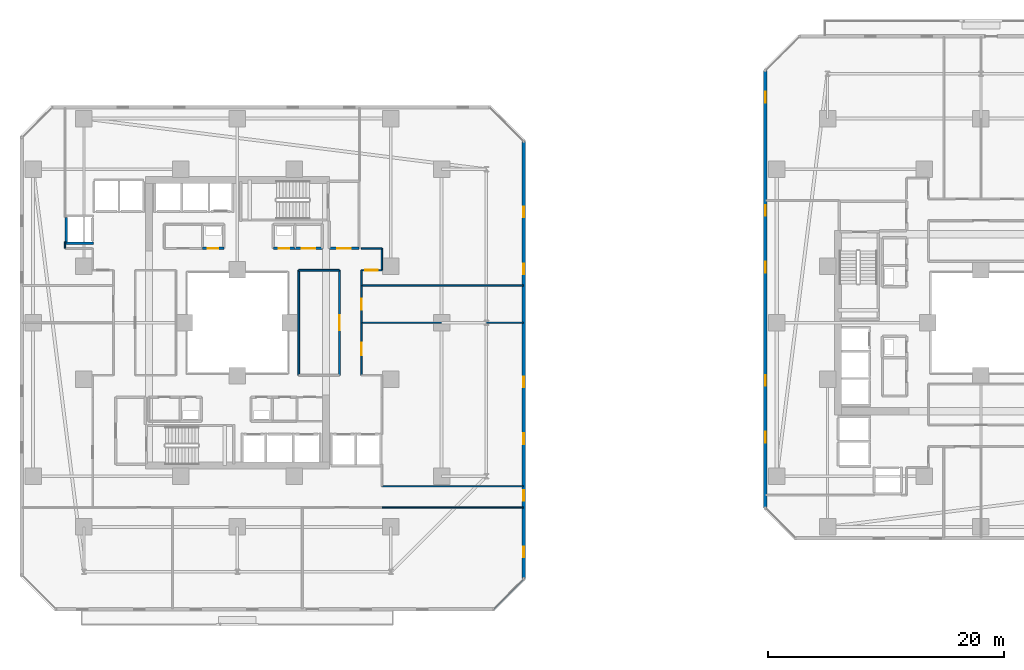
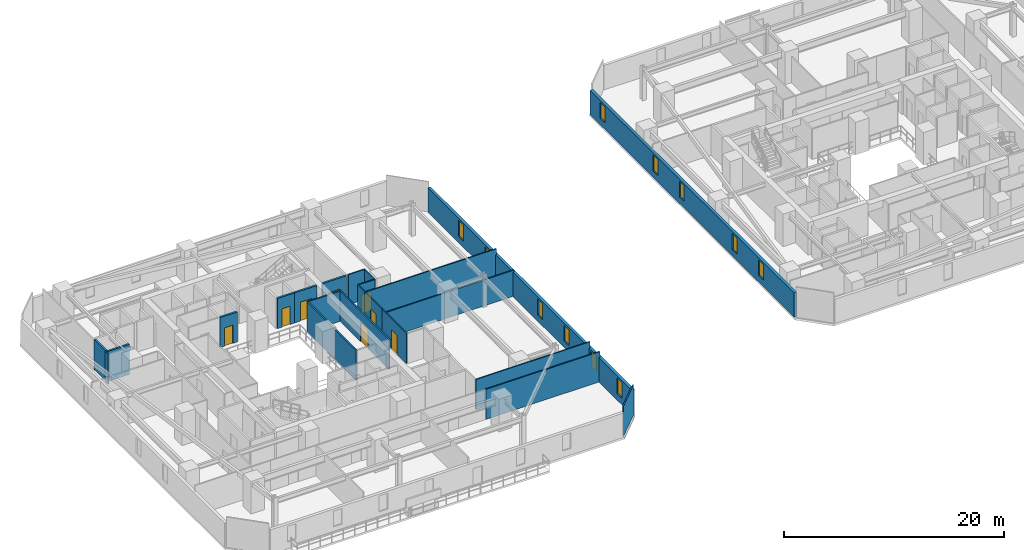
# One storey, part 23 of 35: 23 walls, 11 windows, 8 doors, 19 openings.
"""IFC4 building model written with IfcOpenShell, lengths in metres."""

from ifc_helpers import new_model, si_unit, direction, frame, frame_2d, origin, place, context, subcontext, project, spatial, rectangle, extrude, material, layer, layer_set, type_object, element, fill, save


model = new_model("IFC4")

# Units and contexts
model_context = context("Model", 3, precision=1e-05, world=origin(), true_north=direction((0.0, 1.0)))
body_context = subcontext(model_context, "Body", "Model", "MODEL_VIEW")
ifc_project = project(units=[si_unit("LENGTHUNIT", "METRE"), si_unit("AREAUNIT", "SQUARE_METRE"), si_unit("VOLUMEUNIT", "CUBIC_METRE"), si_unit("PLANEANGLEUNIT", "RADIAN"), si_unit("MASSUNIT", "GRAM", prefix="KILO")], contexts=[model_context])

# Site, building, storey
site_placement = place(None, origin())
site = spatial("IfcSite", under=ifc_project, at=site_placement, CompositionType="ELEMENT")
building_placement = place(site_placement, origin())
building = spatial("IfcBuilding", under=site, at=building_placement, Name="Thornwick Lancets Civic Towers", CompositionType="ELEMENT")
storey_placement = place(building_placement, frame((0.0, 0.0, 64.5)))
storey = spatial("IfcBuildingStorey", under=building, at=storey_placement, Name="L16", CompositionType="ELEMENT", Elevation=64.5)

# Walls
ifc_material_1 = material(Name="Concrete blockwork C40/50", Category="masonry")
ifc_layer_1 = layer(ifc_material_1, 0.199951171875, Name="Concrete blockwork C40/50")
ifc_layer_set_1 = layer_set([ifc_layer_1], Name="Concrete blockwork C40/50")
wall_type_1 = type_object("IfcWallType", Name="WALL_COMP_200", PredefinedType="STANDARD", material=ifc_layer_set_1)
wall_1_placement = place(storey_placement, frame((11.001953125, 33.75, 0.0), z_axis=(0.0, 0.0, 1.0), x_axis=(1.0, 0.0, 0.0)))
element("IfcWall", 1, at=wall_1_placement, inside=storey, type_object=wall_type_1, Name="L16 Hoistway Shaft Wall PL-AM3 S", PredefinedType="STANDARD", context=body_context, shape_type="SweptSolid", body=[
    extrude(rectangle(XDim=2.296142578125, YDim=0.199951171875, at=frame_2d((1.14794921875, 0.0))), origin(), (0.0, 0.0, 1.0), 3.340087890625),
])
wall_2_placement = place(storey_placement, frame((11.0, 33.862060546875, 0.0), z_axis=(0.0, 0.0, 1.0), x_axis=(0.0, 1.0, 0.0)))
element("IfcWall", 2, at=wall_2_placement, inside=storey, type_object=wall_type_1, Name="L16 Hoistway Shaft Wall PL-AM3 W", PredefinedType="STANDARD", context=body_context, shape_type="SweptSolid", body=[
    extrude(rectangle(XDim=2.075927734375, YDim=0.199951171875, at=frame_2d((1.0380859375, 0.0))), origin(), (0.0, 0.0, 1.0), 3.340087890625),
])

# Wall, opening, door
wall_3_placement = place(storey_placement, frame((33.300048828125, 33.300048828125, 0.0), z_axis=(0.0, 0.0, 1.0), x_axis=(1.0, 0.0, 0.0)))
wall_3 = element("IfcWall", 3, at=wall_3_placement, inside=storey, type_object=wall_type_1, Name="L16 Partition L16-A-FFLOB2 E1", PredefinedType="STANDARD", context=body_context, shape_type="SweptSolid", body=[
    extrude(rectangle(XDim=2.5, YDim=0.199951171875, at=frame_2d((1.25, 0.0))), origin(), (0.0, 0.0, 1.0), 3.340087890625),
])
opening_1_placement = place(wall_3_placement, frame((0.675048828125, 0.0, 0.0)))
opening_1 = element("IfcOpeningElement", 4, at=opening_1_placement, cuts=wall_3, Name="Opening D-L16-0754", PredefinedType="OPENING", context=body_context, shape_type="SweptSolid", body=[
    extrude(rectangle(XDim=1.14990234375, YDim=2.10009765625, at=frame_2d((0.574951171875, 1.050048828125))), frame((0.0, 0.10986328125, 0.0), z_axis=(0.0, -1.0, 0.0), x_axis=(1.0, 0.0, 0.0)), (0.0, 0.0, 1.0), 0.219970703125),
])
ifc_material_2 = material(Name="Glazed fire-resisting steel", Category="steel")
door_type_1 = type_object("IfcDoorType", Name="DOOR_LOBBY_FD60", OperationType="NOTDEFINED", PredefinedType="DOOR", material=ifc_material_2)
door_1_placement = place(opening_1_placement, origin())
door_1 = element("IfcDoor", 5, at=door_1_placement, inside=storey, type_object=door_type_1, Name="L16 North Firefighting Lobby 2 Door", OperationType="SINGLE_SWING_LEFT", OverallHeight=2.10009765625, OverallWidth=1.14990234375, PredefinedType="DOOR", context=body_context, shape_type="SweptSolid", body=[
    extrude(rectangle(XDim=1.14990234375, YDim=2.10009765625, at=frame_2d((0.574951171875, 1.050048828125))), frame((0.0, 0.02490234375, 0.0), z_axis=(0.0, -1.0, 0.0), x_axis=(1.0, 0.0, 0.0)), (0.0, 0.0, 1.0), 0.050048828125),
])
fill(opening_1, door_1)

wall_4_placement = place(storey_placement, frame((22.550048828125, 33.300048828125, 0.0), z_axis=(0.0, 0.0, 1.0), x_axis=(1.0, 0.0, 0.0)))
wall_4 = element("IfcWall", 6, at=wall_4_placement, inside=storey, type_object=wall_type_1, Name="L16 Partition L16-A-DUCT2 E1", PredefinedType="STANDARD", context=body_context, shape_type="SweptSolid", body=[
    extrude(rectangle(XDim=1.800048828125, YDim=0.199951171875, at=frame_2d((0.89990234375, 0.0))), origin(), (0.0, 0.0, 1.0), 3.340087890625),
])
opening_2_placement = place(wall_4_placement, frame((0.4599609375, 0.0, 0.0)))
opening_2 = element("IfcOpeningElement", 7, at=opening_2_placement, cuts=wall_4, Name="Opening D-L16-0757", PredefinedType="OPENING", context=body_context, shape_type="SweptSolid", body=[
    extrude(rectangle(XDim=0.8798828125, YDim=2.0400390625, at=frame_2d((0.43994140625, 1.02001953125))), frame((0.0, 0.10986328125, 0.0), z_axis=(0.0, -1.0, 0.0), x_axis=(1.0, 0.0, 0.0)), (0.0, 0.0, 1.0), 0.219970703125),
])
ifc_material_3 = material(Name="Steel riser access doorset", Category="steel")
door_type_2 = type_object("IfcDoorType", Name="DOOR_RISER_850", OperationType="NOTDEFINED", PredefinedType="DOOR", material=ifc_material_3)
door_2_placement = place(opening_2_placement, origin())
door_2 = element("IfcDoor", 8, at=door_2_placement, inside=storey, type_object=door_type_2, Name="L16 North Service Duct 2 Door", OperationType="SINGLE_SWING_RIGHT", OverallHeight=2.0400390625, OverallWidth=0.8798828125, PredefinedType="DOOR", context=body_context, shape_type="SweptSolid", body=[
    extrude(rectangle(XDim=0.8798828125, YDim=2.0400390625, at=frame_2d((0.43994140625, 1.02001953125))), frame((0.0, 0.02490234375, 0.0), z_axis=(0.0, -1.0, 0.0), x_axis=(1.0, 0.0, 0.0)), (0.0, 0.0, 1.0), 0.050048828125),
])
fill(opening_2, door_2)

wall_5_placement = place(storey_placement, frame((28.550048828125, 33.300048828125, 0.0), z_axis=(0.0, 0.0, 1.0), x_axis=(1.0, 0.0, 0.0)))
wall_5 = element("IfcWall", 9, at=wall_5_placement, inside=storey, type_object=wall_type_1, Name="L16 Partition L16-A-RISER2 E1", PredefinedType="STANDARD", context=body_context, shape_type="SweptSolid", body=[
    extrude(rectangle(XDim=1.800048828125, YDim=0.199951171875, at=frame_2d((0.89990234375, 0.0))), origin(), (0.0, 0.0, 1.0), 3.340087890625),
])
opening_3_placement = place(wall_5_placement, frame((0.4599609375, 0.0, 0.0)))
opening_3 = element("IfcOpeningElement", 10, at=opening_3_placement, cuts=wall_5, Name="Opening D-L16-0758", PredefinedType="OPENING", context=body_context, shape_type="SweptSolid", body=[
    extrude(rectangle(XDim=0.8798828125, YDim=2.0400390625, at=frame_2d((0.43994140625, 1.02001953125))), frame((0.0, 0.10986328125, 0.0), z_axis=(0.0, -1.0, 0.0), x_axis=(1.0, 0.0, 0.0)), (0.0, 0.0, 1.0), 0.219970703125),
])
door_3_placement = place(opening_3_placement, origin())
door_3 = element("IfcDoor", 11, at=door_3_placement, inside=storey, type_object=door_type_2, Name="L16 North Service Riser 2 Door", OperationType="SINGLE_SWING_LEFT", OverallHeight=2.0400390625, OverallWidth=0.8798828125, PredefinedType="DOOR", context=body_context, shape_type="SweptSolid", body=[
    extrude(rectangle(XDim=0.8798828125, YDim=2.0400390625, at=frame_2d((0.43994140625, 1.02001953125))), frame((0.0, 0.02490234375, 0.0), z_axis=(0.0, -1.0, 0.0), x_axis=(1.0, 0.0, 0.0)), (0.0, 0.0, 1.0), 0.050048828125),
])
fill(opening_3, door_3)

wall_6_placement = place(storey_placement, frame((32.699951171875, 33.300048828125, 0.0), z_axis=(0.0, 0.0, 1.0), x_axis=(-1.0, 0.0, 0.0)))
wall_6 = element("IfcWall", 12, at=wall_6_placement, inside=storey, type_object=wall_type_1, Name="L16 Partition L16-A-STR E2", PredefinedType="STANDARD", context=body_context, shape_type="SweptSolid", body=[
    extrude(rectangle(XDim=2.349853515625, YDim=0.199951171875, at=frame_2d((1.1748046875, 0.0))), origin(), (0.0, 0.0, 1.0), 3.340087890625),
])
opening_4_placement = place(wall_6_placement, frame((0.60009765625, 0.0, 0.0)))
opening_4 = element("IfcOpeningElement", 13, at=opening_4_placement, cuts=wall_6, Name="Opening D-L16-0763", PredefinedType="OPENING", context=body_context, shape_type="SweptSolid", body=[
    extrude(rectangle(XDim=1.14990234375, YDim=2.10009765625, at=frame_2d((0.574951171875, 1.050048828125))), frame((0.0, 0.10986328125, 0.0), z_axis=(0.0, -1.0, 0.0), x_axis=(1.0, 0.0, 0.0)), (0.0, 0.0, 1.0), 0.219970703125),
])
door_4_placement = place(opening_4_placement, origin())
door_4 = element("IfcDoor", 14, at=door_4_placement, inside=storey, type_object=door_type_1, Name="L16 Tower A Core Equipment Store Door", OperationType="SINGLE_SWING_RIGHT", OverallHeight=2.10009765625, OverallWidth=1.14990234375, PredefinedType="DOOR", context=body_context, shape_type="SweptSolid", body=[
    extrude(rectangle(XDim=1.14990234375, YDim=2.10009765625, at=frame_2d((0.574951171875, 1.050048828125))), frame((0.0, 0.02490234375, 0.0), z_axis=(0.0, -1.0, 0.0), x_axis=(1.0, 0.0, 0.0)), (0.0, 0.0, 1.0), 0.050048828125),
])
fill(opening_4, door_4)

# Wall, openings, windows
ifc_material_4 = material(Name="Insulated russet terracotta rainscreen on concrete C40/50", Category="masonry")
ifc_layer_2 = layer(ifc_material_4, 0.300048828125, Name="Insulated russet terracotta rainscreen on concrete C40/50")
ifc_layer_set_2 = layer_set([ifc_layer_2], Name="Insulated russet terracotta rainscreen on concrete C40/50")
wall_type_2 = type_object("IfcWallType", Name="WALL_EXT_RUSSET_300", PredefinedType="STANDARD", material=ifc_layer_set_2)
wall_7_placement = place(storey_placement, frame((49.764892578125, 5.31884765625, 0.0), z_axis=(0.0, 0.0, 1.0), x_axis=(-3.2959355e-05, 0.999999999457, 0.0)))
wall_7 = element("IfcWall", 15, at=wall_7_placement, inside=storey, type_object=wall_type_2, Name="L16 Tower A Terracotta Facade Wall E2", PredefinedType="STANDARD", context=body_context, shape_type="SweptSolid", body=[
    extrude(rectangle(XDim=37.03662109375, YDim=0.300048828125, at=frame_2d((18.518310546875, 0.0))), origin(), (0.0, 0.0, 1.0), 2.699951171875),
])
opening_5_placement = place(wall_7_placement, frame((1.800048828125, 0.0, 0.719970703125)))
opening_5 = element("IfcOpeningElement", 16, at=opening_5_placement, cuts=wall_7, Name="Opening WL-01", PredefinedType="OPENING", context=body_context, shape_type="SweptSolid", body=[
    extrude(rectangle(XDim=0.89990234375, YDim=1.75, at=frame_2d((0.449951171875, 0.875))), frame((0.0, 0.16015625, 0.0), z_axis=(0.0, -1.0, 0.0), x_axis=(1.0, 0.0, 0.0)), (0.0, 0.0, 1.0), 0.320068359375),
])
opening_6_placement = place(wall_7_placement, frame((6.60009765625, 0.0, 0.719970703125)))
opening_6 = element("IfcOpeningElement", 17, at=opening_6_placement, cuts=wall_7, Name="Opening WL-01", PredefinedType="OPENING", context=body_context, shape_type="SweptSolid", body=[
    extrude(rectangle(XDim=0.89990234375, YDim=1.75, at=frame_2d((0.449951171875, 0.875))), frame((0.0, 0.16015625, 0.0), z_axis=(0.0, -1.0, 0.0), x_axis=(1.0, 0.0, 0.0)), (0.0, 0.0, 1.0), 0.320068359375),
])
opening_7_placement = place(wall_7_placement, frame((11.39990234375, 0.0, 0.719970703125)))
opening_7 = element("IfcOpeningElement", 18, at=opening_7_placement, cuts=wall_7, Name="Opening WL-01", PredefinedType="OPENING", context=body_context, shape_type="SweptSolid", body=[
    extrude(rectangle(XDim=0.89990234375, YDim=1.75, at=frame_2d((0.449951171875, 0.875))), frame((0.0, 0.16015625, 0.0), z_axis=(0.0, -1.0, 0.0), x_axis=(1.0, 0.0, 0.0)), (0.0, 0.0, 1.0), 0.320068359375),
])
opening_8_placement = place(wall_7_placement, frame((16.199951171875, 0.0, 0.719970703125)))
opening_8 = element("IfcOpeningElement", 19, at=opening_8_placement, cuts=wall_7, Name="Opening WL-01", PredefinedType="OPENING", context=body_context, shape_type="SweptSolid", body=[
    extrude(rectangle(XDim=0.89990234375, YDim=1.75, at=frame_2d((0.449951171875, 0.875))), frame((0.0, 0.16015625, 0.0), z_axis=(0.0, -1.0, 0.0), x_axis=(1.0, 0.0, 0.0)), (0.0, 0.0, 1.0), 0.320068359375),
])
opening_9_placement = place(wall_7_placement, frame((25.800048828125, 0.0, 0.719970703125)))
opening_9 = element("IfcOpeningElement", 20, at=opening_9_placement, cuts=wall_7, Name="Opening WL-01", PredefinedType="OPENING", context=body_context, shape_type="SweptSolid", body=[
    extrude(rectangle(XDim=0.89990234375, YDim=1.75, at=frame_2d((0.449951171875, 0.875))), frame((0.0, 0.16015625, 0.0), z_axis=(0.0, -1.0, 0.0), x_axis=(1.0, 0.0, 0.0)), (0.0, 0.0, 1.0), 0.320068359375),
])
opening_10_placement = place(wall_7_placement, frame((30.60009765625, 0.0, 0.719970703125)))
opening_10 = element("IfcOpeningElement", 21, at=opening_10_placement, cuts=wall_7, Name="Opening WL-01", PredefinedType="OPENING", context=body_context, shape_type="SweptSolid", body=[
    extrude(rectangle(XDim=0.89990234375, YDim=1.75, at=frame_2d((0.449951171875, 0.875))), frame((0.0, 0.16015625, 0.0), z_axis=(0.0, -1.0, 0.0), x_axis=(1.0, 0.0, 0.0)), (0.0, 0.0, 1.0), 0.320068359375),
])
ifc_material_5 = material(Name="Clear low-e double glazing in bronze frame", Category="glass")
window_type = type_object("IfcWindowType", Name="WIN_LANCET_900", PartitioningType="SINGLE_PANEL", PredefinedType="WINDOW", material=ifc_material_5)
window_1_placement = place(opening_5_placement, origin())
window_1 = element("IfcWindow", 22, at=window_1_placement, inside=storey, type_object=window_type, Name="L16 Tower A Staggered Lancet Window E2-1", OverallHeight=1.75, OverallWidth=0.89990234375, PartitioningType="SINGLE_PANEL", PredefinedType="WINDOW", context=body_context, shape_type="SweptSolid", body=[
    extrude(rectangle(XDim=0.89990234375, YDim=1.75, at=frame_2d((0.449951171875, 0.875))), frame((0.0, 0.030029296875, 0.0), z_axis=(0.0, -1.0, 0.0), x_axis=(1.0, 0.0, 0.0)), (0.0, 0.0, 1.0), 0.06005859375),
])
fill(opening_5, window_1)
window_2_placement = place(opening_6_placement, origin())
window_2 = element("IfcWindow", 23, at=window_2_placement, inside=storey, type_object=window_type, Name="L16 Tower A Staggered Lancet Window E2-2", OverallHeight=1.75, OverallWidth=0.89990234375, PartitioningType="SINGLE_PANEL", PredefinedType="WINDOW", context=body_context, shape_type="SweptSolid", body=[
    extrude(rectangle(XDim=0.89990234375, YDim=1.75, at=frame_2d((0.449951171875, 0.875))), frame((0.0, 0.030029296875, 0.0), z_axis=(0.0, -1.0, 0.0), x_axis=(1.0, 0.0, 0.0)), (0.0, 0.0, 1.0), 0.06005859375),
])
fill(opening_6, window_2)
window_3_placement = place(opening_7_placement, origin())
window_3 = element("IfcWindow", 24, at=window_3_placement, inside=storey, type_object=window_type, Name="L16 Tower A Staggered Lancet Window E2-3", OverallHeight=1.75, OverallWidth=0.89990234375, PartitioningType="SINGLE_PANEL", PredefinedType="WINDOW", context=body_context, shape_type="SweptSolid", body=[
    extrude(rectangle(XDim=0.89990234375, YDim=1.75, at=frame_2d((0.449951171875, 0.875))), frame((0.0, 0.030029296875, 0.0), z_axis=(0.0, -1.0, 0.0), x_axis=(1.0, 0.0, 0.0)), (0.0, 0.0, 1.0), 0.06005859375),
])
fill(opening_7, window_3)
window_4_placement = place(opening_8_placement, origin())
window_4 = element("IfcWindow", 25, at=window_4_placement, inside=storey, type_object=window_type, Name="L16 Tower A Staggered Lancet Window E2-4", OverallHeight=1.75, OverallWidth=0.89990234375, PartitioningType="SINGLE_PANEL", PredefinedType="WINDOW", context=body_context, shape_type="SweptSolid", body=[
    extrude(rectangle(XDim=0.89990234375, YDim=1.75, at=frame_2d((0.449951171875, 0.875))), frame((0.0, 0.030029296875, 0.0), z_axis=(0.0, -1.0, 0.0), x_axis=(1.0, 0.0, 0.0)), (0.0, 0.0, 1.0), 0.06005859375),
])
fill(opening_8, window_4)
window_5_placement = place(opening_9_placement, origin())
window_5 = element("IfcWindow", 26, at=window_5_placement, inside=storey, type_object=window_type, Name="L16 Tower A Staggered Lancet Window E2-5", OverallHeight=1.75, OverallWidth=0.89990234375, PartitioningType="SINGLE_PANEL", PredefinedType="WINDOW", context=body_context, shape_type="SweptSolid", body=[
    extrude(rectangle(XDim=0.89990234375, YDim=1.75, at=frame_2d((0.449951171875, 0.875))), frame((0.0, 0.030029296875, 0.0), z_axis=(0.0, -1.0, 0.0), x_axis=(1.0, 0.0, 0.0)), (0.0, 0.0, 1.0), 0.06005859375),
])
fill(opening_9, window_5)
window_6_placement = place(opening_10_placement, origin())
window_6 = element("IfcWindow", 27, at=window_6_placement, inside=storey, type_object=window_type, Name="L16 Tower A Staggered Lancet Window E2-6", OverallHeight=1.75, OverallWidth=0.89990234375, PartitioningType="SINGLE_PANEL", PredefinedType="WINDOW", context=body_context, shape_type="SweptSolid", body=[
    extrude(rectangle(XDim=0.89990234375, YDim=1.75, at=frame_2d((0.449951171875, 0.875))), frame((0.0, 0.030029296875, 0.0), z_axis=(0.0, -1.0, 0.0), x_axis=(1.0, 0.0, 0.0)), (0.0, 0.0, 1.0), 0.06005859375),
])
fill(opening_10, window_6)

wall_8_placement = place(storey_placement, frame((70.236328125, 48.35546875, 0.0), z_axis=(0.0, 0.0, 1.0), x_axis=(-3.2959355e-05, -0.999999999457, 0.0)))
wall_8 = element("IfcWall", 28, at=wall_8_placement, inside=storey, type_object=wall_type_2, Name="L16 Tower B Terracotta Facade Wall E6", PredefinedType="STANDARD", context=body_context, shape_type="SweptSolid", body=[
    extrude(rectangle(XDim=37.03662109375, YDim=0.300048828125, at=frame_2d((18.518310546875, 0.0))), origin(), (0.0, 0.0, 1.0), 2.699951171875),
])
opening_11_placement = place(wall_8_placement, frame((1.800048828125, 0.0, 0.719970703125)))
opening_11 = element("IfcOpeningElement", 29, at=opening_11_placement, cuts=wall_8, Name="Opening WL-01", PredefinedType="OPENING", context=body_context, shape_type="SweptSolid", body=[
    extrude(rectangle(XDim=0.89990234375, YDim=1.75, at=frame_2d((0.449951171875, 0.875))), frame((0.0, 0.16015625, 0.0), z_axis=(0.0, -1.0, 0.0), x_axis=(1.0, 0.0, 0.0)), (0.0, 0.0, 1.0), 0.320068359375),
])
opening_12_placement = place(wall_8_placement, frame((11.39990234375, 0.0, 0.719970703125)))
opening_12 = element("IfcOpeningElement", 30, at=opening_12_placement, cuts=wall_8, Name="Opening WL-01", PredefinedType="OPENING", context=body_context, shape_type="SweptSolid", body=[
    extrude(rectangle(XDim=0.89990234375, YDim=1.75, at=frame_2d((0.449951171875, 0.875))), frame((0.0, 0.16015625, 0.0), z_axis=(0.0, -1.0, 0.0), x_axis=(1.0, 0.0, 0.0)), (0.0, 0.0, 1.0), 0.320068359375),
])
opening_13_placement = place(wall_8_placement, frame((16.199951171875, 0.0, 0.719970703125)))
opening_13 = element("IfcOpeningElement", 31, at=opening_13_placement, cuts=wall_8, Name="Opening WL-01", PredefinedType="OPENING", context=body_context, shape_type="SweptSolid", body=[
    extrude(rectangle(XDim=0.89990234375, YDim=1.75, at=frame_2d((0.449951171875, 0.875))), frame((0.0, 0.16015625, 0.0), z_axis=(0.0, -1.0, 0.0), x_axis=(1.0, 0.0, 0.0)), (0.0, 0.0, 1.0), 0.320068359375),
])
opening_14_placement = place(wall_8_placement, frame((25.800048828125, 0.0, 0.719970703125)))
opening_14 = element("IfcOpeningElement", 32, at=opening_14_placement, cuts=wall_8, Name="Opening WL-01", PredefinedType="OPENING", context=body_context, shape_type="SweptSolid", body=[
    extrude(rectangle(XDim=0.89990234375, YDim=1.75, at=frame_2d((0.449951171875, 0.875))), frame((0.0, 0.16015625, 0.0), z_axis=(0.0, -1.0, 0.0), x_axis=(1.0, 0.0, 0.0)), (0.0, 0.0, 1.0), 0.320068359375),
])
opening_15_placement = place(wall_8_placement, frame((30.60009765625, 0.0, 0.719970703125)))
opening_15 = element("IfcOpeningElement", 33, at=opening_15_placement, cuts=wall_8, Name="Opening WL-01", PredefinedType="OPENING", context=body_context, shape_type="SweptSolid", body=[
    extrude(rectangle(XDim=0.89990234375, YDim=1.75, at=frame_2d((0.449951171875, 0.875))), frame((0.0, 0.16015625, 0.0), z_axis=(0.0, -1.0, 0.0), x_axis=(1.0, 0.0, 0.0)), (0.0, 0.0, 1.0), 0.320068359375),
])
window_7_placement = place(opening_11_placement, origin())
window_7 = element("IfcWindow", 34, at=window_7_placement, inside=storey, type_object=window_type, Name="L16 Tower B Staggered Lancet Window E6-1", OverallHeight=1.75, OverallWidth=0.89990234375, PartitioningType="SINGLE_PANEL", PredefinedType="WINDOW", context=body_context, shape_type="SweptSolid", body=[
    extrude(rectangle(XDim=0.89990234375, YDim=1.75, at=frame_2d((0.449951171875, 0.875))), frame((0.0, 0.030029296875, 0.0), z_axis=(0.0, -1.0, 0.0), x_axis=(1.0, 0.0, 0.0)), (0.0, 0.0, 1.0), 0.06005859375),
])
fill(opening_11, window_7)
window_8_placement = place(opening_12_placement, origin())
window_8 = element("IfcWindow", 35, at=window_8_placement, inside=storey, type_object=window_type, Name="L16 Tower B Staggered Lancet Window E6-2", OverallHeight=1.75, OverallWidth=0.89990234375, PartitioningType="SINGLE_PANEL", PredefinedType="WINDOW", context=body_context, shape_type="SweptSolid", body=[
    extrude(rectangle(XDim=0.89990234375, YDim=1.75, at=frame_2d((0.449951171875, 0.875))), frame((0.0, 0.030029296875, 0.0), z_axis=(0.0, -1.0, 0.0), x_axis=(1.0, 0.0, 0.0)), (0.0, 0.0, 1.0), 0.06005859375),
])
fill(opening_12, window_8)
window_9_placement = place(opening_13_placement, origin())
window_9 = element("IfcWindow", 36, at=window_9_placement, inside=storey, type_object=window_type, Name="L16 Tower B Staggered Lancet Window E6-3", OverallHeight=1.75, OverallWidth=0.89990234375, PartitioningType="SINGLE_PANEL", PredefinedType="WINDOW", context=body_context, shape_type="SweptSolid", body=[
    extrude(rectangle(XDim=0.89990234375, YDim=1.75, at=frame_2d((0.449951171875, 0.875))), frame((0.0, 0.030029296875, 0.0), z_axis=(0.0, -1.0, 0.0), x_axis=(1.0, 0.0, 0.0)), (0.0, 0.0, 1.0), 0.06005859375),
])
fill(opening_13, window_9)
window_10_placement = place(opening_14_placement, origin())
window_10 = element("IfcWindow", 37, at=window_10_placement, inside=storey, type_object=window_type, Name="L16 Tower B Staggered Lancet Window E6-4", OverallHeight=1.75, OverallWidth=0.89990234375, PartitioningType="SINGLE_PANEL", PredefinedType="WINDOW", context=body_context, shape_type="SweptSolid", body=[
    extrude(rectangle(XDim=0.89990234375, YDim=1.75, at=frame_2d((0.449951171875, 0.875))), frame((0.0, 0.030029296875, 0.0), z_axis=(0.0, -1.0, 0.0), x_axis=(1.0, 0.0, 0.0)), (0.0, 0.0, 1.0), 0.06005859375),
])
fill(opening_14, window_10)
window_11_placement = place(opening_15_placement, origin())
window_11 = element("IfcWindow", 38, at=window_11_placement, inside=storey, type_object=window_type, Name="L16 Tower B Staggered Lancet Window E6-5", OverallHeight=1.75, OverallWidth=0.89990234375, PartitioningType="SINGLE_PANEL", PredefinedType="WINDOW", context=body_context, shape_type="SweptSolid", body=[
    extrude(rectangle(XDim=0.89990234375, YDim=1.75, at=frame_2d((0.449951171875, 0.875))), frame((0.0, 0.030029296875, 0.0), z_axis=(0.0, -1.0, 0.0), x_axis=(1.0, 0.0, 0.0)), (0.0, 0.0, 1.0), 0.06005859375),
])
fill(opening_15, window_11)

# Wall
ifc_material_6 = material(Name="Acoustic gypsum board partition")
ifc_layer_3 = layer(ifc_material_6, 0.1201171875, Name="Acoustic gypsum board partition")
ifc_layer_set_3 = layer_set([ifc_layer_3], Name="Acoustic gypsum board partition")
wall_type_3 = type_object("IfcWallType", Name="WALL_PART_120", PredefinedType="PARTITIONING", material=ifc_layer_set_3)
wall_9_placement = place(storey_placement, frame((10.89990234375, 33.862060546875, 0.0), z_axis=(0.0, 0.0, 1.0), x_axis=(0.0, -1.0, 0.0)))
element("IfcWall", 39, at=wall_9_placement, inside=storey, type_object=wall_type_3, Name="L16 Partition L16-A-W3 E9", PredefinedType="PARTITIONING", context=body_context, shape_type="SweptSolid", body=[
    extrude(rectangle(XDim=0.56201171875, YDim=0.1201171875, at=frame_2d((0.281005859375, 0.0))), origin(), (0.0, 0.0, 1.0), 3.340087890625),
])

# Wall, opening, door
wall_10_placement = place(storey_placement, frame((36.0, 22.550048828125, 0.0), z_axis=(0.0, 0.0, 1.0), x_axis=(0.0, 1.0, 0.0)))
wall_10 = element("IfcWall", 40, at=wall_10_placement, inside=storey, type_object=wall_type_3, Name="L16 Partition L16-A-E1 E4", PredefinedType="PARTITIONING", context=body_context, shape_type="SweptSolid", body=[
    extrude(rectangle(XDim=4.449951171875, YDim=0.1201171875, at=frame_2d((2.22509765625, 0.0))), origin(), (0.0, 0.0, 1.0), 3.340087890625),
])
opening_16_placement = place(wall_10_placement, frame((1.699951171875, 0.0, 0.0)))
opening_16 = element("IfcOpeningElement", 41, at=opening_16_placement, cuts=wall_10, Name="Opening D-L16-0778", PredefinedType="OPENING", context=body_context, shape_type="SweptSolid", body=[
    extrude(rectangle(XDim=1.050048828125, YDim=2.10009765625, at=frame_2d((0.52490234375, 1.050048828125))), frame((0.0, 0.070068359375, 0.0), z_axis=(0.0, -1.0, 0.0), x_axis=(1.0, 0.0, 0.0)), (0.0, 0.0, 1.0), 0.14013671875),
])
ifc_material_7 = material(Name="Glazed European oak executive doorset")
door_type_3 = type_object("IfcDoorType", Name="DOOR_OFFICE_1050", OperationType="NOTDEFINED", PredefinedType="DOOR", material=ifc_material_7)
door_5_placement = place(opening_16_placement, origin())
door_5 = element("IfcDoor", 42, at=door_5_placement, inside=storey, type_object=door_type_3, Name="L16 Tower A Secretariat Open Office E1 Door", OperationType="SINGLE_SWING_LEFT", OverallHeight=2.10009765625, OverallWidth=1.050048828125, PredefinedType="DOOR", context=body_context, shape_type="SweptSolid", body=[
    extrude(rectangle(XDim=1.050048828125, YDim=2.10009765625, at=frame_2d((0.52490234375, 1.050048828125))), frame((0.0, 0.02490234375, 0.0), z_axis=(0.0, -1.0, 0.0), x_axis=(1.0, 0.0, 0.0)), (0.0, 0.0, 1.0), 0.050048828125),
])
fill(opening_16, door_5)

# Walls
wall_11_placement = place(storey_placement, frame((36.0, 27.0, 0.0), z_axis=(0.0, 0.0, 1.0), x_axis=(1.0, 0.0, 0.0)))
element("IfcWall", 43, at=wall_11_placement, inside=storey, type_object=wall_type_3, Name="L16 Partition L16-A-E1 E5", PredefinedType="PARTITIONING", context=body_context, shape_type="SweptSolid", body=[
    extrude(rectangle(XDim=13.719970703125, YDim=0.1201171875, at=frame_2d((6.85986328125, 0.0))), origin(), (0.0, 0.0, 1.0), 2.877685546875),
])
wall_12_placement = place(storey_placement, frame((49.719970703125, 13.14990234375, 0.0), z_axis=(0.0, 0.0, 1.0), x_axis=(-1.0, 0.0, 0.0)))
element("IfcWall", 44, at=wall_12_placement, inside=storey, type_object=wall_type_3, Name="L16 Partition L16-A-E1 E7", PredefinedType="PARTITIONING", context=body_context, shape_type="SweptSolid", body=[
    extrude(rectangle(XDim=11.969970703125, YDim=0.1201171875, at=frame_2d((5.98486328125, 0.0))), origin(), (0.0, 0.0, 1.0), 3.340087890625),
])

# Wall, opening, door
wall_13_placement = place(storey_placement, frame((36.0, 27.0, 0.0), z_axis=(0.0, 0.0, 1.0), x_axis=(0.0, 1.0, 0.0)))
wall_13 = element("IfcWall", 45, at=wall_13_placement, inside=storey, type_object=wall_type_3, Name="L16 Partition L16-A-E2 E1", PredefinedType="PARTITIONING", context=body_context, shape_type="SweptSolid", body=[
    extrude(rectangle(XDim=3.14990234375, YDim=0.1201171875, at=frame_2d((1.574951171875, 0.0))), origin(), (0.0, 0.0, 1.0), 3.340087890625),
])
opening_17_placement = place(wall_13_placement, frame((1.10009765625, 0.0, 0.0)))
opening_17 = element("IfcOpeningElement", 46, at=opening_17_placement, cuts=wall_13, Name="Opening D-L16-0779", PredefinedType="OPENING", context=body_context, shape_type="SweptSolid", body=[
    extrude(rectangle(XDim=0.949951171875, YDim=2.10009765625, at=frame_2d((0.47509765625, 1.050048828125))), frame((0.0, 0.070068359375, 0.0), z_axis=(0.0, -1.0, 0.0), x_axis=(1.0, 0.0, 0.0)), (0.0, 0.0, 1.0), 0.14013671875),
])
ifc_material_8 = material(Name="European oak acoustic doorset")
door_type_4 = type_object("IfcDoorType", Name="DOOR_OFFICE_950", OperationType="NOTDEFINED", PredefinedType="DOOR", material=ifc_material_8)
door_6_placement = place(opening_17_placement, origin())
door_6 = element("IfcDoor", 47, at=door_6_placement, inside=storey, type_object=door_type_4, Name="L16 Tower A Visitors Reception and Waiting Door", OperationType="SINGLE_SWING_RIGHT", OverallHeight=2.10009765625, OverallWidth=0.949951171875, PredefinedType="DOOR", context=body_context, shape_type="SweptSolid", body=[
    extrude(rectangle(XDim=0.949951171875, YDim=2.10009765625, at=frame_2d((0.47509765625, 1.050048828125))), frame((0.0, 0.02490234375, 0.0), z_axis=(0.0, -1.0, 0.0), x_axis=(1.0, 0.0, 0.0)), (0.0, 0.0, 1.0), 0.050048828125),
])
fill(opening_17, door_6)

# Wall
wall_14_placement = place(storey_placement, frame((36.0, 30.14990234375, 0.0), z_axis=(0.0, 0.0, 1.0), x_axis=(1.0, 0.0, 0.0)))
element("IfcWall", 48, at=wall_14_placement, inside=storey, type_object=wall_type_3, Name="L16 Partition L16-A-E2 E2", PredefinedType="PARTITIONING", context=body_context, shape_type="SweptSolid", body=[
    extrude(rectangle(XDim=13.719970703125, YDim=0.1201171875, at=frame_2d((6.85986328125, 0.0))), origin(), (0.0, 0.0, 1.0), 3.340087890625),
])

# Wall, opening, door
wall_15_placement = place(storey_placement, frame((36.0, 31.449951171875, 0.0), z_axis=(0.0, 0.0, 1.0), x_axis=(1.0, 0.0, 0.0)))
wall_15 = element("IfcWall", 49, at=wall_15_placement, inside=storey, type_object=wall_type_3, Name="L16 Partition L16-A-E3 E1", PredefinedType="PARTITIONING", context=body_context, shape_type="SweptSolid", body=[
    extrude(rectangle(XDim=1.75, YDim=0.1201171875, at=frame_2d((0.875, 0.0))), origin(), (0.0, 0.0, 1.0), 3.340087890625),
])
opening_18_placement = place(wall_15_placement, frame((0.35009765625, 0.0, 0.0)))
opening_18 = element("IfcOpeningElement", 50, at=opening_18_placement, cuts=wall_15, Name="Opening D-L16-0780", PredefinedType="OPENING", context=body_context, shape_type="SweptSolid", body=[
    extrude(rectangle(XDim=1.050048828125, YDim=2.10009765625, at=frame_2d((0.52490234375, 1.050048828125))), frame((0.0, 0.070068359375, 0.0), z_axis=(0.0, -1.0, 0.0), x_axis=(1.0, 0.0, 0.0)), (0.0, 0.0, 1.0), 0.14013671875),
])
door_7_placement = place(opening_18_placement, origin())
door_7 = element("IfcDoor", 51, at=door_7_placement, inside=storey, type_object=door_type_3, Name="L16 Tower A Civic Seminar Room Door", OperationType="SINGLE_SWING_LEFT", OverallHeight=2.10009765625, OverallWidth=1.050048828125, PredefinedType="DOOR", context=body_context, shape_type="SweptSolid", body=[
    extrude(rectangle(XDim=1.050048828125, YDim=2.10009765625, at=frame_2d((0.52490234375, 1.050048828125))), frame((0.0, 0.02490234375, 0.0), z_axis=(0.0, -1.0, 0.0), x_axis=(1.0, 0.0, 0.0)), (0.0, 0.0, 1.0), 0.050048828125),
])
fill(opening_18, door_7)

# Walls
wall_16_placement = place(storey_placement, frame((37.75, 31.449951171875, 0.0), z_axis=(0.0, 0.0, 1.0), x_axis=(0.0, 1.0, 0.0)))
element("IfcWall", 52, at=wall_16_placement, inside=storey, type_object=wall_type_3, Name="L16 Partition L16-A-E3 E2", PredefinedType="PARTITIONING", context=body_context, shape_type="SweptSolid", body=[
    extrude(rectangle(XDim=1.85009765625, YDim=0.1201171875, at=frame_2d((0.925048828125, 0.0))), origin(), (0.0, 0.0, 1.0), 3.340087890625),
])
wall_17_placement = place(storey_placement, frame((37.75, 33.300048828125, 0.0), z_axis=(0.0, 0.0, 1.0), x_axis=(-1.0, 0.0, 0.0)))
element("IfcWall", 53, at=wall_17_placement, inside=storey, type_object=wall_type_3, Name="L16 Partition L16-A-E3 E3", PredefinedType="PARTITIONING", context=body_context, shape_type="SweptSolid", body=[
    extrude(rectangle(XDim=1.75, YDim=0.1201171875, at=frame_2d((0.875, 0.0))), origin(), (0.0, 0.0, 1.0), 3.340087890625),
])
wall_18_placement = place(storey_placement, frame((36.0, 30.14990234375, 0.0), z_axis=(0.0, 0.0, 1.0), x_axis=(0.0, 1.0, 0.0)))
element("IfcWall", 54, at=wall_18_placement, inside=storey, type_object=wall_type_3, Name="L16 Partition L16-A-E3 E10", PredefinedType="PARTITIONING", context=body_context, shape_type="SweptSolid", body=[
    extrude(rectangle(XDim=1.300048828125, YDim=0.1201171875, at=frame_2d((0.64990234375, 0.0))), origin(), (0.0, 0.0, 1.0), 3.340087890625),
])
wall_19_placement = place(storey_placement, frame((37.75, 11.35009765625, 0.0), z_axis=(0.0, 0.0, 1.0), x_axis=(1.0, 0.0, 0.0)))
element("IfcWall", 55, at=wall_19_placement, inside=storey, type_object=wall_type_3, Name="L16 Partition L16-A-S-OFF2 E4", PredefinedType="PARTITIONING", context=body_context, shape_type="SweptSolid", body=[
    extrude(rectangle(XDim=11.969970703125, YDim=0.1201171875, at=frame_2d((5.98486328125, 0.0))), origin(), (0.0, 0.0, 1.0), 3.340087890625),
])
wall_20_placement = place(storey_placement, frame((49.719970703125, 5.274658203125, 0.0), z_axis=(0.0, 0.0, 1.0), x_axis=(-0.707106781187, -0.707106781187, 0.0)))
element("IfcWall", 56, at=wall_20_placement, inside=storey, type_object=wall_type_3, Name="L16 Partition L16-A-S-OFF2 E6", PredefinedType="PARTITIONING", context=body_context, shape_type="SweptSolid", body=[
    extrude(rectangle(XDim=3.52783203125, YDim=0.1201171875, at=frame_2d((1.763916015625, 0.0))), origin(), (0.0, 0.0, 1.0), 3.340087890625),
])
ifc_material_9 = material(Name="Twin-stud acoustic gypsum board")
ifc_layer_4 = layer(ifc_material_9, 0.14990234375, Name="Twin-stud acoustic gypsum board")
ifc_layer_set_4 = layer_set([ifc_layer_4], Name="Twin-stud acoustic gypsum board")
wall_type_4 = type_object("IfcWallType", Name="WALL_PART_150", PredefinedType="PARTITIONING", material=ifc_layer_set_4)
wall_21_placement = place(storey_placement, frame((30.699951171875, 22.550048828125, 0.0), z_axis=(0.0, 0.0, 1.0), x_axis=(0.0, 1.0, 0.0)))
element("IfcWall", 57, at=wall_21_placement, inside=storey, type_object=wall_type_4, Name="L16 Partition L16-A-ATR-E E1", PredefinedType="PARTITIONING", context=body_context, shape_type="SweptSolid", body=[
    extrude(rectangle(XDim=8.89990234375, YDim=0.14990234375, at=frame_2d((4.449951171875, 0.0))), origin(), (0.0, 0.0, 1.0), 3.340087890625),
])
wall_22_placement = place(storey_placement, frame((30.699951171875, 31.449951171875, 0.0), z_axis=(0.0, 0.0, 1.0), x_axis=(1.0, 0.0, 0.0)))
element("IfcWall", 58, at=wall_22_placement, inside=storey, type_object=wall_type_4, Name="L16 Partition L16-A-ATR-E E2", PredefinedType="PARTITIONING", context=body_context, shape_type="SweptSolid", body=[
    extrude(rectangle(XDim=3.449951171875, YDim=0.14990234375, at=frame_2d((1.72509765625, 0.0))), origin(), (0.0, 0.0, 1.0), 3.340087890625),
])

# Wall, opening, door
wall_23_placement = place(storey_placement, frame((34.14990234375, 31.449951171875, 0.0), z_axis=(0.0, 0.0, 1.0), x_axis=(0.0, -1.0, 0.0)))
wall_23 = element("IfcWall", 59, at=wall_23_placement, inside=storey, type_object=wall_type_4, Name="L16 Partition L16-A-ATR-E E3", PredefinedType="PARTITIONING", context=body_context, shape_type="SweptSolid", body=[
    extrude(rectangle(XDim=8.89990234375, YDim=0.14990234375, at=frame_2d((4.449951171875, 0.0))), origin(), (0.0, 0.0, 1.0), 3.340087890625),
])
opening_19_placement = place(wall_23_placement, frame((3.800048828125, 0.0, 0.0)))
opening_19 = element("IfcOpeningElement", 60, at=opening_19_placement, cuts=wall_23, Name="Opening D-L16-0781", PredefinedType="OPENING", context=body_context, shape_type="SweptSolid", body=[
    extrude(rectangle(XDim=1.300048828125, YDim=2.1201171875, at=frame_2d((0.64990234375, 1.06005859375))), frame((0.0, 0.0849609375, 0.0), z_axis=(0.0, -1.0, 0.0), x_axis=(1.0, 0.0, 0.0)), (0.0, 0.0, 1.0), 0.169921875),
])
ifc_material_10 = material(Name="Acoustic oak leaf-and-a-half doorset")
door_type_5 = type_object("IfcDoorType", Name="DOOR_MEET_1300", OperationType="DOUBLE_DOOR_SINGLE_SWING", PredefinedType="DOOR", material=ifc_material_10)
door_8_placement = place(opening_19_placement, origin())
door_8 = element("IfcDoor", 61, at=door_8_placement, inside=storey, type_object=door_type_5, Name="L16 Tower A East Atrium Briefing Suite Door", OperationType="DOUBLE_DOOR_SINGLE_SWING", OverallHeight=2.1201171875, OverallWidth=1.300048828125, PredefinedType="DOOR", context=body_context, shape_type="SweptSolid", body=[
    extrude(rectangle(XDim=1.300048828125, YDim=2.1201171875, at=frame_2d((0.64990234375, 1.06005859375))), frame((0.0, 0.02490234375, 0.0), z_axis=(0.0, -1.0, 0.0), x_axis=(1.0, 0.0, 0.0)), (0.0, 0.0, 1.0), 0.050048828125),
])
fill(opening_19, door_8)

save(model, "model.ifc")
